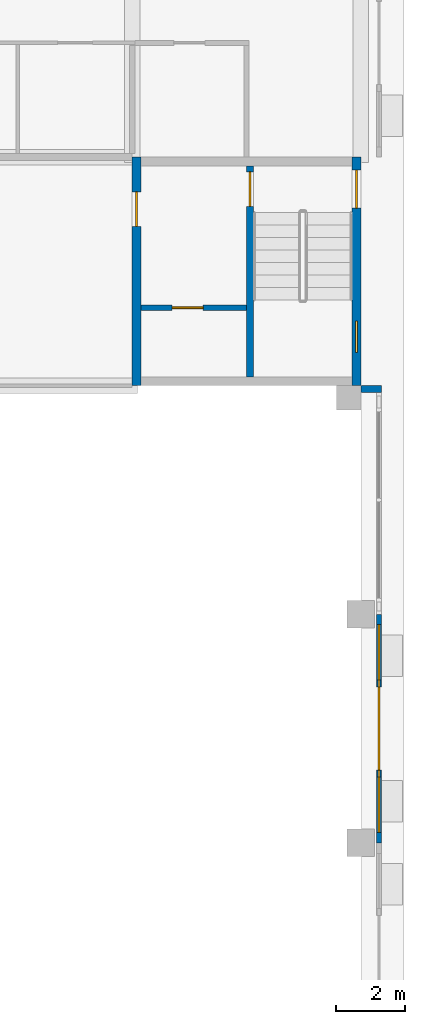
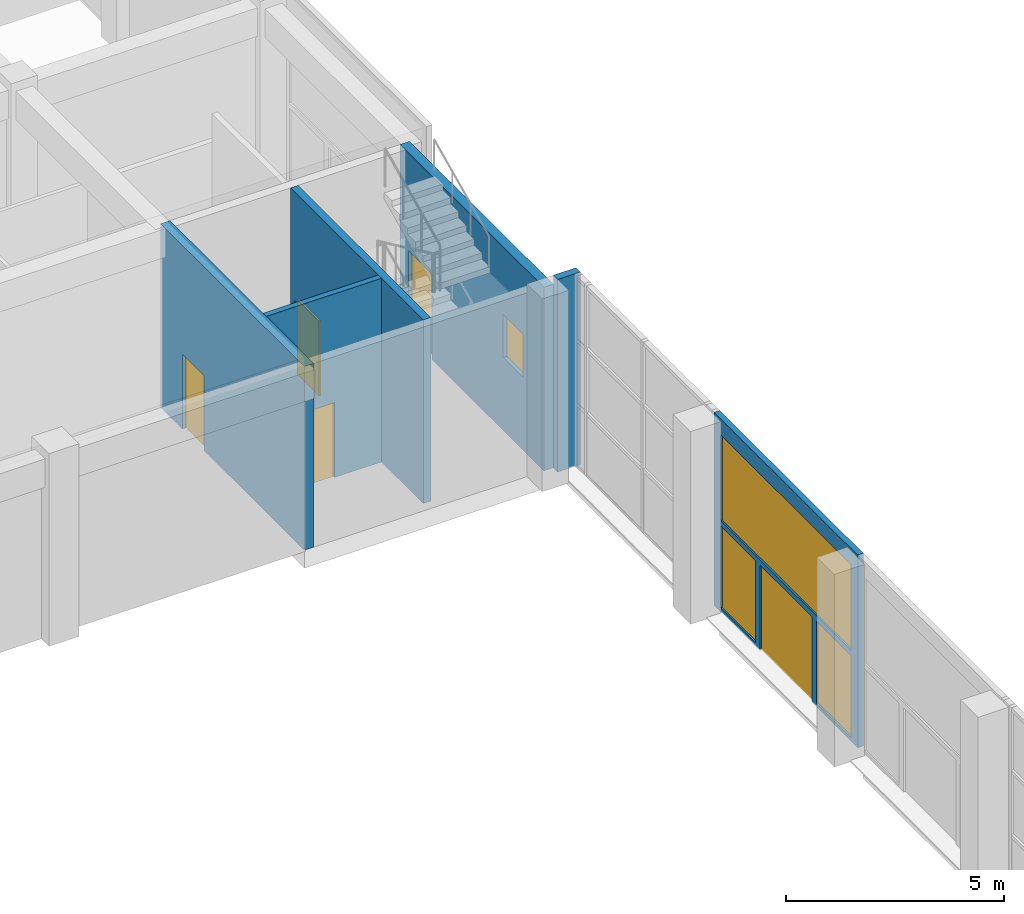
# One storey, part 34 of 85: 6 walls, 5 doors, 4 windows, 9 openings.
"""IFC4 building model written with IfcOpenShell, lengths in metres."""

from ifc_helpers import new_model, si_unit, direction, frame, frame_2d, origin, place, context, subcontext, project, spatial, rectangle, extrude, material, layer, layer_set, type_object, element, fill, save


model = new_model("IFC4")

# Units and contexts
model_context = context("Model", 3, precision=1e-05, world=origin(), true_north=direction((0.0, 1.0)))
body_context = subcontext(model_context, "Body", "Model", "MODEL_VIEW")
ifc_project = project(units=[si_unit("LENGTHUNIT", "METRE"), si_unit("AREAUNIT", "SQUARE_METRE"), si_unit("VOLUMEUNIT", "CUBIC_METRE"), si_unit("PLANEANGLEUNIT", "RADIAN"), si_unit("MASSUNIT", "GRAM", prefix="KILO")], contexts=[model_context])

# Site, building, storey
site_placement = place(None, origin())
site = spatial("IfcSite", under=ifc_project, at=site_placement, CompositionType="ELEMENT")
building_placement = place(site_placement, origin())
building = spatial("IfcBuilding", under=site, at=building_placement, Name="Lantern Court Research Institute", CompositionType="ELEMENT")
storey_placement = place(building_placement, origin())
storey = spatial("IfcBuildingStorey", under=building, at=storey_placement, Name="L00", CompositionType="ELEMENT", Elevation=0.0)

# Wall, openings, windows, door
ifc_material_1 = material(Name="Aluminium alloy 6063-T6", Category="aluminium")
ifc_layer_1 = layer(ifc_material_1, 0.14990234375)
ifc_layer_set_1 = layer_set([ifc_layer_1], Name="Aluminium alloy 6063-T6")
wall_type_1 = type_object("IfcWallType", Name="Entrance screen wall 150 aluminium", PredefinedType="STANDARD", material=ifc_layer_set_1)
wall_1_placement = place(storey_placement, frame((79.72509765625, 42.89990234375, 0.0), z_axis=(0.0, 0.0, 1.0), x_axis=(0.0, -1.0, 0.0)))
wall_1 = element("IfcWall", 1, at=wall_1_placement, inside=storey, type_object=wall_type_1, Name="Exterior wall EW013", PredefinedType="STANDARD", context=body_context, shape_type="SweptSolid", body=[
    extrude(rectangle(XDim=6.599853515625, YDim=0.14990234375, at=frame_2d((3.2998046875, 0.0))), origin(), (0.0, 0.0, 1.0), 5.39990234375),
])
opening_1_placement = place(wall_1_placement, frame((2.10009765625, 0.0, 0.0)))
opening_1 = element("IfcOpeningElement", 2, at=opening_1_placement, cuts=wall_1, Name="Opening D2082", PredefinedType="OPENING", context=body_context, shape_type="SweptSolid", body=[
    extrude(rectangle(XDim=2.39990234375, YDim=2.39990234375, at=frame_2d((1.199951171875, 1.199951171875))), frame((0.0, 0.0849609375, 0.0), z_axis=(0.0, -1.0, 0.0), x_axis=(1.0, 0.0, 0.0)), (0.0, 0.0, 1.0), 0.169921875),
])
opening_2_placement = place(wall_1_placement, frame((4.699951171875, 0.0, 0.10009765625)))
opening_2 = element("IfcOpeningElement", 3, at=opening_2_placement, cuts=wall_1, Name="Opening W03", PredefinedType="OPENING", context=body_context, shape_type="SweptSolid", body=[
    extrude(rectangle(XDim=1.60009765625, YDim=2.300048828125, at=frame_2d((0.800048828125, 1.14990234375))), frame((0.0, 0.0849609375, 0.0), z_axis=(0.0, -1.0, 0.0), x_axis=(1.0, 0.0, 0.0)), (0.0, 0.0, 1.0), 0.169921875),
])
opening_3_placement = place(wall_1_placement, frame((0.300048828125, 0.0, 0.10009765625)))
opening_3 = element("IfcOpeningElement", 4, at=opening_3_placement, cuts=wall_1, Name="Opening W03", PredefinedType="OPENING", context=body_context, shape_type="SweptSolid", body=[
    extrude(rectangle(XDim=1.60009765625, YDim=2.300048828125, at=frame_2d((0.800048828125, 1.14990234375))), frame((0.0, 0.0849609375, 0.0), z_axis=(0.0, -1.0, 0.0), x_axis=(1.0, 0.0, 0.0)), (0.0, 0.0, 1.0), 0.169921875),
])
opening_4_placement = place(wall_1_placement, frame((0.300048828125, 0.0, 2.550048828125)))
opening_4 = element("IfcOpeningElement", 5, at=opening_4_placement, cuts=wall_1, Name="Opening W02", PredefinedType="OPENING", context=body_context, shape_type="SweptSolid", body=[
    extrude(rectangle(XDim=6.0, YDim=2.39990234375, at=frame_2d((3.0, 1.199951171875))), frame((0.0, 0.0849609375, 0.0), z_axis=(0.0, -1.0, 0.0), x_axis=(1.0, 0.0, 0.0)), (0.0, 0.0, 1.0), 0.169921875),
])
ifc_material_2 = material(Name="Aluminium frame with laminated low-emissivity glazing", Category="aluminium")
window_type_1 = type_object("IfcWindowType", Name="Entrance clerestory 6000 x 2400", PartitioningType="SINGLE_PANEL", PredefinedType="WINDOW", material=ifc_material_2)
window_1_placement = place(opening_4_placement, origin())
window_1 = element("IfcWindow", 6, at=window_1_placement, inside=storey, type_object=window_type_1, Name="Window W02 V2E L00", OverallHeight=2.39990234375, OverallWidth=6.0, PartitioningType="SINGLE_PANEL", PredefinedType="WINDOW", context=body_context, shape_type="SweptSolid", body=[
    extrude(rectangle(XDim=6.0, YDim=2.39990234375, at=frame_2d((3.0, 1.199951171875))), frame((0.0, 0.030029296875, 0.0), z_axis=(0.0, -1.0, 0.0), x_axis=(1.0, 0.0, 0.0)), (0.0, 0.0, 1.0), 0.06005859375),
])
fill(opening_4, window_1)
ifc_material_3 = material(Name="Aluminium frame with laminated glass", Category="aluminium")
door_type_1 = type_object("IfcDoorType", Name="Entrance door pair 2400 x 2400 aluminium glazed", OperationType="NOTDEFINED", PredefinedType="DOOR", material=ifc_material_3)
door_1_placement = place(opening_1_placement, origin())
door_1 = element("IfcDoor", 7, at=door_1_placement, inside=storey, type_object=door_type_1, Name="Exterior door D2082", OperationType="DOUBLE_DOOR_SINGLE_SWING", OverallHeight=2.39990234375, OverallWidth=2.39990234375, PredefinedType="DOOR", context=body_context, shape_type="SweptSolid", body=[
    extrude(rectangle(XDim=2.39990234375, YDim=2.39990234375, at=frame_2d((1.199951171875, 1.199951171875))), frame((0.0, 0.02490234375, 0.0), z_axis=(0.0, -1.0, 0.0), x_axis=(1.0, 0.0, 0.0)), (0.0, 0.0, 1.0), 0.050048828125),
])
fill(opening_1, door_1)
ifc_material_4 = material(Name="Aluminium frame with laminated low-emissivity glazing", Category="aluminium")
window_type_2 = type_object("IfcWindowType", Name="Entrance sidelight 1600 x 2300", PartitioningType="SINGLE_PANEL", PredefinedType="WINDOW", material=ifc_material_4)
window_2_placement = place(opening_2_placement, origin())
window_2 = element("IfcWindow", 8, at=window_2_placement, inside=storey, type_object=window_type_2, Name="Window W03 V2E L00", OverallHeight=2.300048828125, OverallWidth=1.60009765625, PartitioningType="SINGLE_PANEL", PredefinedType="WINDOW", context=body_context, shape_type="SweptSolid", body=[
    extrude(rectangle(XDim=1.60009765625, YDim=2.300048828125, at=frame_2d((0.800048828125, 1.14990234375))), frame((0.0, 0.030029296875, 0.0), z_axis=(0.0, -1.0, 0.0), x_axis=(1.0, 0.0, 0.0)), (0.0, 0.0, 1.0), 0.06005859375),
])
fill(opening_2, window_2)
window_3_placement = place(opening_3_placement, origin())
window_3 = element("IfcWindow", 9, at=window_3_placement, inside=storey, type_object=window_type_2, Name="Window W03 V2E L00", OverallHeight=2.300048828125, OverallWidth=1.60009765625, PartitioningType="SINGLE_PANEL", PredefinedType="WINDOW", context=body_context, shape_type="SweptSolid", body=[
    extrude(rectangle(XDim=1.60009765625, YDim=2.300048828125, at=frame_2d((0.800048828125, 1.14990234375))), frame((0.0, 0.030029296875, 0.0), z_axis=(0.0, -1.0, 0.0), x_axis=(1.0, 0.0, 0.0)), (0.0, 0.0, 1.0), 0.06005859375),
])
fill(opening_3, window_3)

# Wall, opening, door
ifc_material_5 = material(Name="Concrete C40/50", Category="concrete")
ifc_layer_2 = layer(ifc_material_5, 0.25)
ifc_layer_set_2 = layer_set([ifc_layer_2], Name="Concrete C40/50")
wall_type_2 = type_object("IfcWallType", Name="RC core wall 250", PredefinedType="SHEAR", material=ifc_layer_set_2)
wall_2_placement = place(storey_placement, frame((72.72509765625, 56.10009765625, 0.0), z_axis=(0.0, 0.0, 1.0), x_axis=(0.0, -1.0, 0.0)))
wall_2 = element("IfcWall", 10, at=wall_2_placement, inside=storey, type_object=wall_type_2, Name="West wall of core HC-B", PredefinedType="SHEAR", context=body_context, shape_type="SweptSolid", body=[
    extrude(rectangle(XDim=6.60009765625, YDim=0.25, at=frame_2d((3.300048828125, 0.0))), origin(), (0.0, 0.0, 1.0), 5.14990234375),
])
opening_5_placement = place(wall_2_placement, frame((1.0, 0.0, 0.0)))
opening_5 = element("IfcOpeningElement", 11, at=opening_5_placement, cuts=wall_2, Name="Opening D7314", PredefinedType="OPENING", context=body_context, shape_type="SweptSolid", body=[
    extrude(rectangle(XDim=1.0, YDim=2.10009765625, at=frame_2d((0.5, 1.050048828125))), frame((0.0, 0.135009765625, 0.0), z_axis=(0.0, -1.0, 0.0), x_axis=(1.0, 0.0, 0.0)), (0.0, 0.0, 1.0), 0.27001953125),
])
ifc_material_6 = material(Name="Steel fire door leaf with smoke seals", Category="steel")
door_type_2 = type_object("IfcDoorType", Name="Door 1000 x 2100 fire rated FD60S", OperationType="NOTDEFINED", PredefinedType="DOOR", material=ifc_material_6)
door_2_placement = place(opening_5_placement, origin())
door_2 = element("IfcDoor", 12, at=door_2_placement, inside=storey, type_object=door_type_2, Name="Lobby door", OperationType="SINGLE_SWING_RIGHT", OverallHeight=2.10009765625, OverallWidth=1.0, PredefinedType="DOOR", context=body_context, shape_type="SweptSolid", body=[
    extrude(rectangle(XDim=1.0, YDim=2.10009765625, at=frame_2d((0.5, 1.050048828125))), frame((0.0, 0.02490234375, 0.0), z_axis=(0.0, -1.0, 0.0), x_axis=(1.0, 0.0, 0.0)), (0.0, 0.0, 1.0), 0.050048828125),
])
fill(opening_5, door_2)

# Wall, openings, door, window
ifc_material_7 = material(Name="Concrete C40/50", Category="concrete")
ifc_layer_3 = layer(ifc_material_7, 0.25)
ifc_layer_set_3 = layer_set([ifc_layer_3], Name="Concrete C40/50")
wall_type_3 = type_object("IfcWallType", Name="RC core wall 250 facade", PredefinedType="SHEAR", material=ifc_layer_set_3)
wall_3_placement = place(storey_placement, frame((79.074951171875, 56.10009765625, 0.0), z_axis=(0.0, 0.0, 1.0), x_axis=(0.0, -1.0, 0.0)))
wall_3 = element("IfcWall", 13, at=wall_3_placement, inside=storey, type_object=wall_type_3, Name="East wall of core HC-B", PredefinedType="SHEAR", context=body_context, shape_type="SweptSolid", body=[
    extrude(rectangle(XDim=6.60009765625, YDim=0.25, at=frame_2d((3.300048828125, 0.0))), origin(), (0.0, 0.0, 1.0), 5.14990234375),
])
opening_6_placement = place(wall_3_placement, frame((0.375, 0.0, 0.0)))
opening_6 = element("IfcOpeningElement", 14, at=opening_6_placement, cuts=wall_3, Name="Opening D7316", PredefinedType="OPENING", context=body_context, shape_type="SweptSolid", body=[
    extrude(rectangle(XDim=1.10009765625, YDim=2.39990234375, at=frame_2d((0.550048828125, 1.199951171875))), frame((0.0, 0.135009765625, 0.0), z_axis=(0.0, -1.0, 0.0), x_axis=(1.0, 0.0, 0.0)), (0.0, 0.0, 1.0), 0.27001953125),
])
opening_7_placement = place(wall_3_placement, frame((4.735107421875, 0.0, 2.050048828125)))
opening_7 = element("IfcOpeningElement", 15, at=opening_7_placement, cuts=wall_3, Name="Opening W6", PredefinedType="OPENING", context=body_context, shape_type="SweptSolid", body=[
    extrude(rectangle(XDim=0.89990234375, YDim=1.199951171875, at=frame_2d((0.449951171875, 0.60009765625))), frame((0.0, 0.135009765625, 0.0), z_axis=(0.0, -1.0, 0.0), x_axis=(1.0, 0.0, 0.0)), (0.0, 0.0, 1.0), 0.27001953125),
])
ifc_material_8 = material(Name="Steel fire door leaf with smoke seals", Category="steel")
door_type_3 = type_object("IfcDoorType", Name="Door 1100 x 2400 fire rated FD60S", OperationType="NOTDEFINED", PredefinedType="DOOR", material=ifc_material_8)
door_3_placement = place(opening_6_placement, origin())
door_3 = element("IfcDoor", 16, at=door_3_placement, inside=storey, type_object=door_type_3, Name="Stair exit door", OperationType="SINGLE_SWING_RIGHT", OverallHeight=2.39990234375, OverallWidth=1.10009765625, PredefinedType="DOOR", context=body_context, shape_type="SweptSolid", body=[
    extrude(rectangle(XDim=1.10009765625, YDim=2.39990234375, at=frame_2d((0.550048828125, 1.199951171875))), frame((0.0, 0.02490234375, 0.0), z_axis=(0.0, -1.0, 0.0), x_axis=(1.0, 0.0, 0.0)), (0.0, 0.0, 1.0), 0.050048828125),
])
fill(opening_6, door_3)
ifc_material_9 = material(Name="Aluminium alloy 6063-T6 frame with laminated glass", Category="aluminium")
window_type_3 = type_object("IfcWindowType", Name="Stair window 900 x 1200", PartitioningType="SINGLE_PANEL", PredefinedType="WINDOW", material=ifc_material_9)
window_4_placement = place(opening_7_placement, origin())
window_4 = element("IfcWindow", 17, at=window_4_placement, inside=storey, type_object=window_type_3, Name="Stair window", OverallHeight=1.199951171875, OverallWidth=0.89990234375, PartitioningType="SINGLE_PANEL", PredefinedType="WINDOW", context=body_context, shape_type="SweptSolid", body=[
    extrude(rectangle(XDim=0.89990234375, YDim=1.199951171875, at=frame_2d((0.449951171875, 0.60009765625))), frame((0.0, 0.030029296875, 0.0), z_axis=(0.0, -1.0, 0.0), x_axis=(1.0, 0.0, 0.0)), (0.0, 0.0, 1.0), 0.06005859375),
])
fill(opening_7, window_4)

# Wall, opening, door
ifc_material_10 = material(Name="Concrete C40/50", Category="concrete")
ifc_layer_4 = layer(ifc_material_10, 0.14990234375)
ifc_layer_set_4 = layer_set([ifc_layer_4], Name="Concrete C40/50")
wall_type_4 = type_object("IfcWallType", Name="RC shaft wall 150", PredefinedType="SHEAR", material=ifc_layer_set_4)
wall_4_placement = place(storey_placement, frame((72.85009765625, 51.75, 0.0), z_axis=(0.0, 0.0, 1.0), x_axis=(1.0, 0.0, 0.0)))
wall_4 = element("IfcWall", 18, at=wall_4_placement, inside=storey, type_object=wall_type_4, Name="Riser wall of core HC-B", PredefinedType="SHEAR", context=body_context, shape_type="SweptSolid", body=[
    extrude(rectangle(XDim=3.0498046875, YDim=0.14990234375, at=frame_2d((1.52490234375, 0.0))), origin(), (0.0, 0.0, 1.0), 5.14990234375),
])
opening_8_placement = place(wall_4_placement, frame((0.89990234375, 0.0, 0.0)))
opening_8 = element("IfcOpeningElement", 19, at=opening_8_placement, cuts=wall_4, Name="Opening D7313", PredefinedType="OPENING", context=body_context, shape_type="SweptSolid", body=[
    extrude(rectangle(XDim=0.89990234375, YDim=2.10009765625, at=frame_2d((0.449951171875, 1.050048828125))), frame((0.0, 0.0849609375, 0.0), z_axis=(0.0, -1.0, 0.0), x_axis=(1.0, 0.0, 0.0)), (0.0, 0.0, 1.0), 0.169921875),
])
ifc_material_11 = material(Name="Steel fire door leaf", Category="steel")
door_type_4 = type_object("IfcDoorType", Name="Door 900 x 2100 fire rated FD60", OperationType="NOTDEFINED", PredefinedType="DOOR", material=ifc_material_11)
door_4_placement = place(opening_8_placement, origin())
door_4 = element("IfcDoor", 20, at=door_4_placement, inside=storey, type_object=door_type_4, Name="Riser door", OperationType="SINGLE_SWING_RIGHT", OverallHeight=2.10009765625, OverallWidth=0.89990234375, PredefinedType="DOOR", context=body_context, shape_type="SweptSolid", body=[
    extrude(rectangle(XDim=0.89990234375, YDim=2.10009765625, at=frame_2d((0.449951171875, 1.050048828125))), frame((0.0, 0.02490234375, 0.0), z_axis=(0.0, -1.0, 0.0), x_axis=(1.0, 0.0, 0.0)), (0.0, 0.0, 1.0), 0.050048828125),
])
fill(opening_8, door_4)

ifc_material_12 = material(Name="Concrete C40/50", Category="concrete")
ifc_layer_5 = layer(ifc_material_12, 0.199951171875)
ifc_layer_set_5 = layer_set([ifc_layer_5], Name="Concrete C40/50")
wall_type_5 = type_object("IfcWallType", Name="RC shaft wall 200", PredefinedType="SHEAR", material=ifc_layer_set_5)
wall_5_placement = place(storey_placement, frame((76.0, 55.85009765625, 0.0), z_axis=(0.0, 0.0, 1.0), x_axis=(0.0, -1.0, 0.0)))
wall_5 = element("IfcWall", 21, at=wall_5_placement, inside=storey, type_object=wall_type_5, Name="Stair wall of core HC-B", PredefinedType="SHEAR", context=body_context, shape_type="SweptSolid", body=[
    extrude(rectangle(XDim=6.10009765625, YDim=0.199951171875, at=frame_2d((3.050048828125, 0.0))), origin(), (0.0, 0.0, 1.0), 5.14990234375),
])
opening_9_placement = place(wall_5_placement, frame((0.175048828125, 0.0, 0.0)))
opening_9 = element("IfcOpeningElement", 22, at=opening_9_placement, cuts=wall_5, Name="Opening D7315", PredefinedType="OPENING", context=body_context, shape_type="SweptSolid", body=[
    extrude(rectangle(XDim=1.0, YDim=2.10009765625, at=frame_2d((0.5, 1.050048828125))), frame((0.0, 0.10986328125, 0.0), z_axis=(0.0, -1.0, 0.0), x_axis=(1.0, 0.0, 0.0)), (0.0, 0.0, 1.0), 0.219970703125),
])
door_5_placement = place(opening_9_placement, origin())
door_5 = element("IfcDoor", 23, at=door_5_placement, inside=storey, type_object=door_type_2, Name="Stair door", OperationType="SINGLE_SWING_RIGHT", OverallHeight=2.10009765625, OverallWidth=1.0, PredefinedType="DOOR", context=body_context, shape_type="SweptSolid", body=[
    extrude(rectangle(XDim=1.0, YDim=2.10009765625, at=frame_2d((0.5, 1.050048828125))), frame((0.0, 0.02490234375, 0.0), z_axis=(0.0, -1.0, 0.0), x_axis=(1.0, 0.0, 0.0)), (0.0, 0.0, 1.0), 0.050048828125),
])
fill(opening_9, door_5)

# Wall
ifc_material_13 = material(Name="Concrete C40/50", Category="concrete")
ifc_layer_6 = layer(ifc_material_13, 0.199951171875)
ifc_layer_set_6 = layer_set([ifc_layer_6], Name="Concrete C40/50")
wall_type_6 = type_object("IfcWallType", Name="Return wall 200 concrete EI 120 aluminium faced", PredefinedType="STANDARD", material=ifc_layer_set_6)
wall_6_placement = place(storey_placement, frame((79.199951171875, 49.39990234375, 0.0), z_axis=(0.0, 0.0, 1.0), x_axis=(1.0, 0.0, 0.0)))
element("IfcWall", 24, at=wall_6_placement, inside=storey, type_object=wall_type_6, Name="Core return wall 01", PredefinedType="STANDARD", context=body_context, shape_type="SweptSolid", body=[
    extrude(rectangle(XDim=0.60009765625, YDim=0.199951171875, at=frame_2d((0.300048828125, 0.0))), origin(), (0.0, 0.0, 1.0), 5.39990234375),
])

save(model, "model.ifc")
